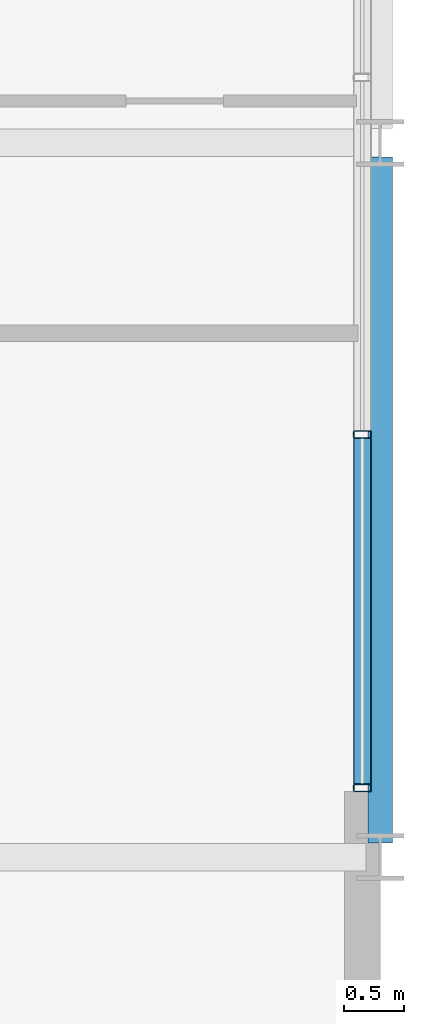
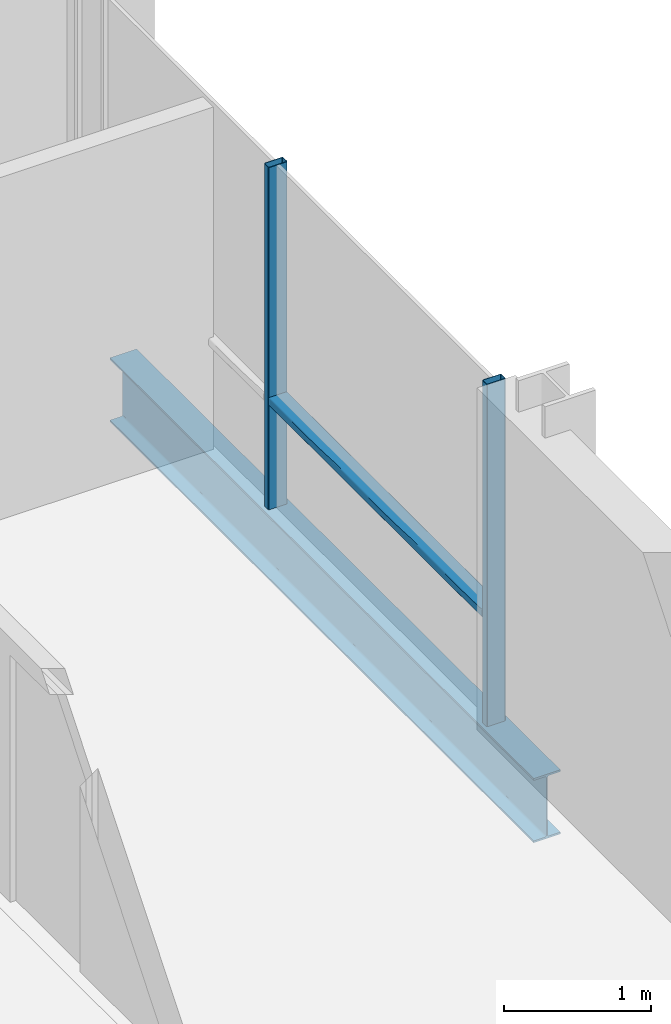
# One storey, part 18 of 36: 3 members, 1 beam, 1 element without a shape of its own.
"""IFC4 building model written with IfcOpenShell, lengths in metres."""

from ifc_helpers import new_model, si_unit, direction, frame, origin, origin_2d, place, context, subcontext, project, spatial, hollow_rectangle, i_section, extrude, material, layer, layer_set, material_profile, profile_set, type_object, element, aggregate, save


model = new_model("IFC4")

# Units and contexts
model_context = context("Model", 3, precision=1e-05, world=origin(), true_north=direction((0.0, 1.0)))
body_context = subcontext(model_context, "Body", "Model", "MODEL_VIEW")
ifc_project = project(units=[si_unit("LENGTHUNIT", "METRE"), si_unit("AREAUNIT", "SQUARE_METRE"), si_unit("VOLUMEUNIT", "CUBIC_METRE"), si_unit("PLANEANGLEUNIT", "RADIAN"), si_unit("MASSUNIT", "GRAM", prefix="KILO")], contexts=[model_context])

# Site, building, storey
site_placement = place(None, origin())
site = spatial("IfcSite", under=ifc_project, at=site_placement, CompositionType="ELEMENT")
building_placement = place(site_placement, origin())
building = spatial("IfcBuilding", under=site, at=building_placement, Name="Brevholm Reach", CompositionType="ELEMENT")
storey_placement = place(building_placement, frame((0.0, 0.0, 175.89990234375)))
storey = spatial("IfcBuildingStorey", under=building, at=storey_placement, Name="L53", CompositionType="ELEMENT", Elevation=175.89990234375)

# Beam
ifc_material_1 = material(Name="Structural Steel S355J2", Category="steel")
ifc_material_profile_1 = material_profile(ifc_material_1, i_section(OverallWidth=0.209228515625, OverallDepth=0.533203125, WebThickness=0.010009765625, FlangeThickness=0.015625, FilletRadius=0.0126953125, at=origin_2d()), Name="UKB 533x210x92")
ifc_profile_set_1 = profile_set([ifc_material_profile_1], Name="Structural Steel S355J2")
beam_type = type_object("IfcBeamType", Name="BM-SP533", PredefinedType="SPANDREL", material=ifc_profile_set_1)
beam_placement = place(storey_placement, frame((60.0, 10.1201171875, -0.4765625), z_axis=(0.0, 1.0, 0.0), x_axis=(-1.0, 0.0, 0.0)))
element("IfcBeam", 1, at=beam_placement, inside=storey, type_object=beam_type, Name="L53 SP-02 Framing Beam", PredefinedType="SPANDREL", context=body_context, shape_type="SweptSolid", body=[
    extrude(i_section(OverallWidth=0.209228515625, OverallDepth=0.533203125, WebThickness=0.010009765625, FlangeThickness=0.015625, FilletRadius=0.0126953125, at=origin_2d()), origin(), (0.0, 0.0, 1.0), 5.759765625),
])

# Curtain wall, members
ifc_material_2 = material(Name="Dark Anodised Aluminium 6063-T6 and Solar-Control Glass", Category="aluminium")
ifc_layer = layer(ifc_material_2, 0.14990234375)
ifc_layer_set = layer_set([ifc_layer], Name="Dark Anodised Aluminium 6063-T6 and Solar-Control Glass")
curtain_wall_type = type_object("IfcCurtainWallType", Name="CW-01", PredefinedType="NOTDEFINED", material=ifc_layer_set)
curtain_wall_placement = place(storey_placement, origin())
curtain_wall = element("IfcCurtainWall", 2, at=curtain_wall_placement, inside=storey, type_object=curtain_wall_type, Name="L53 Curtain Wall CW-01", PredefinedType="NOTDEFINED")
ifc_material_3 = material(Name="Dark Anodised Aluminium 6063-T6", Category="aluminium")
ifc_material_profile_2 = material_profile(ifc_material_3, hollow_rectangle(XDim=0.06494140625, YDim=0.14990234375, WallThickness=0.0048828125, InnerFilletRadius=0.0048828125, OuterFilletRadius=0.010009765625, at=origin_2d()), Name="RHS 150x65x5")
ifc_profile_set_2 = profile_set([ifc_material_profile_2], Name="Dark Anodised Aluminium 6063-T6")
member_type_1 = type_object("IfcMemberType", Name="CWM-150", PredefinedType="MULLION", material=ifc_profile_set_2)
member_1_placement = place(storey_placement, frame((59.85009765625, 10.58251953125, 0.0), z_axis=(0.0, 0.0, 1.0), x_axis=(0.0, 1.0, 0.0)))
member_1 = element("IfcMember", 3, at=member_1_placement, type_object=member_type_1, Name="CM-150 Mullion 1", PredefinedType="MULLION", context=body_context, shape_type="SweptSolid", body=[
    extrude(hollow_rectangle(XDim=0.06494140625, YDim=0.14990234375, WallThickness=0.0048828125, InnerFilletRadius=0.0048828125, OuterFilletRadius=0.010009765625, at=origin_2d()), origin(), (0.0, 0.0, 1.0), 2.840087890625),
])
member_2_placement = place(storey_placement, frame((59.85009765625, 13.550048828125, 0.0), z_axis=(0.0, 0.0, 1.0), x_axis=(0.0, 1.0, 0.0)))
member_2 = element("IfcMember", 4, at=member_2_placement, type_object=member_type_1, Name="CM-150 Mullion 2", PredefinedType="MULLION", context=body_context, shape_type="SweptSolid", body=[
    extrude(hollow_rectangle(XDim=0.06494140625, YDim=0.14990234375, WallThickness=0.0048828125, InnerFilletRadius=0.0048828125, OuterFilletRadius=0.010009765625, at=origin_2d()), origin(), (0.0, 0.0, 1.0), 2.840087890625),
])
ifc_material_4 = material(Name="Dark Anodised Aluminium 6063-T6", Category="aluminium")
ifc_material_profile_3 = material_profile(ifc_material_4, hollow_rectangle(XDim=0.06494140625, YDim=0.14990234375, WallThickness=0.0048828125, InnerFilletRadius=0.0048828125, OuterFilletRadius=0.010009765625, at=origin_2d()), Name="RHS 150x65x5")
ifc_profile_set_3 = profile_set([ifc_material_profile_3], Name="Dark Anodised Aluminium 6063-T6")
member_type_2 = type_object("IfcMemberType", Name="CWT-150", PredefinedType="NOTDEFINED", material=ifc_profile_set_3)
member_3_placement = place(storey_placement, frame((59.85009765625, 10.614990234375, 0.900146484375), z_axis=(0.0, 1.0, 0.0), x_axis=(0.0, 0.0, 1.0)))
member_3 = element("IfcMember", 5, at=member_3_placement, type_object=member_type_2, Name="CT-150 Transom 1.1", ObjectType="TRANSOM", PredefinedType="USERDEFINED", context=body_context, shape_type="SweptSolid", body=[
    extrude(hollow_rectangle(XDim=0.06494140625, YDim=0.14990234375, WallThickness=0.0048828125, InnerFilletRadius=0.0048828125, OuterFilletRadius=0.010009765625, at=origin_2d()), origin(), (0.0, 0.0, 1.0), 2.902587890625),
])
aggregate(curtain_wall, [member_1, member_2, member_3])

save(model, "model.ifc")
